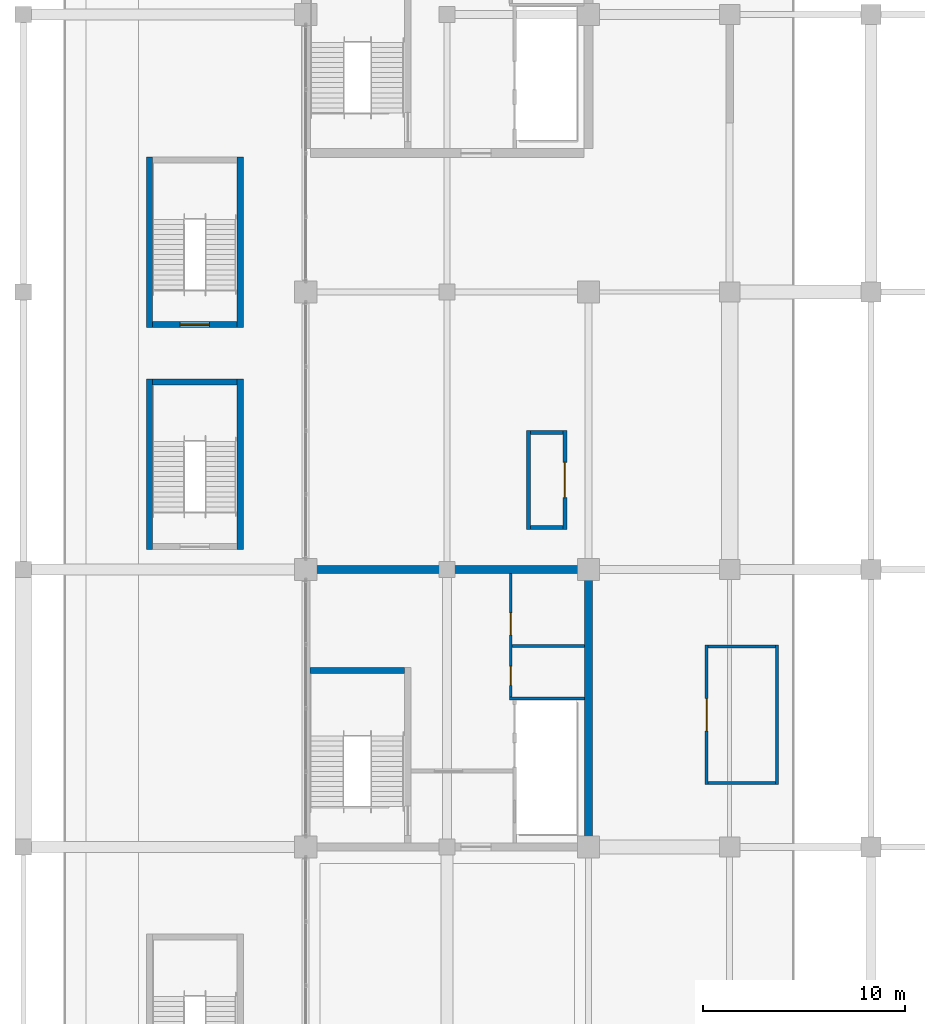
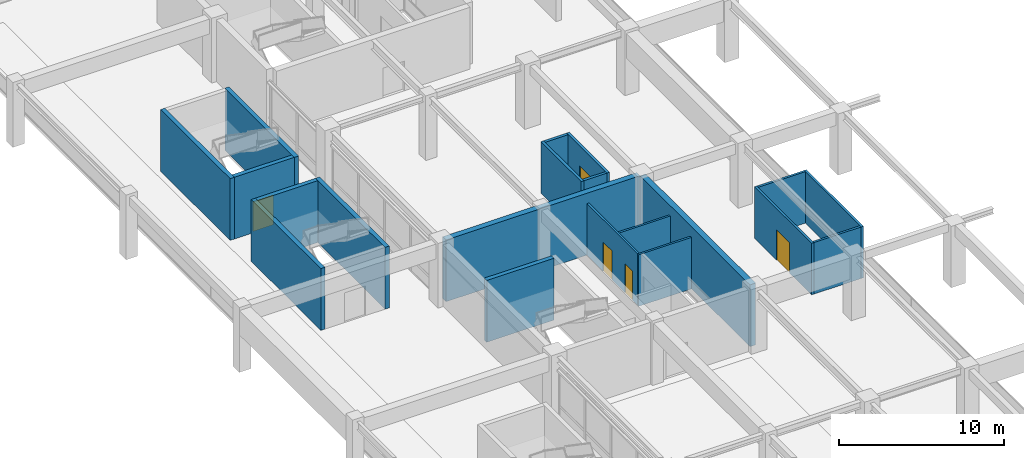
# One storey, part 67 of 91: 20 walls, 5 doors, 5 openings.
"""IFC4 building model written with IfcOpenShell, lengths in metres."""

from ifc_helpers import new_model, si_unit, direction, frame, frame_2d, origin, place, context, subcontext, project, spatial, rectangle, extrude, material, layer, layer_set, type_object, element, fill, save


model = new_model("IFC4")

# Units and contexts
model_context = context("Model", 3, precision=1e-05, world=origin(), true_north=direction((0.0, 1.0)))
body_context = subcontext(model_context, "Body", "Model", "MODEL_VIEW")
ifc_project = project(units=[si_unit("LENGTHUNIT", "METRE"), si_unit("AREAUNIT", "SQUARE_METRE"), si_unit("VOLUMEUNIT", "CUBIC_METRE"), si_unit("PLANEANGLEUNIT", "RADIAN"), si_unit("MASSUNIT", "GRAM", prefix="KILO")], contexts=[model_context])

# Site, building, storey
site_placement = place(None, origin())
site = spatial("IfcSite", under=ifc_project, at=site_placement, CompositionType="ELEMENT")
building_placement = place(site_placement, origin())
building = spatial("IfcBuilding", under=site, at=building_placement, Name="Linyun Crest Stadium", CompositionType="ELEMENT")
storey_placement = place(building_placement, frame((0.0, 0.0, 11.39990234375)))
storey = spatial("IfcBuildingStorey", under=building, at=storey_placement, Name="L03", CompositionType="ELEMENT", Elevation=11.39990234375)

# Walls
ifc_material_1 = material(Name="Concrete C50", Category="concrete")
ifc_layer_1 = layer(ifc_material_1, 0.39990234375)
ifc_layer_set_1 = layer_set([ifc_layer_1], Name="Concrete C50")
wall_type_1 = type_object("IfcWallType", Name="CW02", PredefinedType="SHEAR", material=ifc_layer_set_1)
wall_1_placement = place(storey_placement, frame((-70.0, 2.324951171875, 0.0), z_axis=(0.0, 0.0, 1.0), x_axis=(0.0, 1.0, 0.0)))
element("IfcWall", 1, at=wall_1_placement, inside=storey, type_object=wall_type_1, Name="Core shear wall CW02 CORE-W2 L03.2", PredefinedType="SHEAR", context=body_context, shape_type="SweptSolid", body=[
    extrude(rectangle(XDim=13.35009765625, YDim=0.39990234375, at=frame_2d((6.675048828125, 0.0))), origin(), (0.0, 0.0, 1.0), 4.580078125),
])
wall_2_placement = place(storey_placement, frame((-83.800048828125, 15.875, 0.0), z_axis=(0.0, 0.0, 1.0), x_axis=(1.0, 0.0, 0.0)))
element("IfcWall", 2, at=wall_2_placement, inside=storey, type_object=wall_type_1, Name="Core shear wall CW02 CORE-W2 L03.4", PredefinedType="SHEAR", context=body_context, shape_type="SweptSolid", body=[
    extrude(rectangle(XDim=13.60009765625, YDim=0.39990234375, at=frame_2d((6.800048828125, 0.0))), origin(), (0.0, 0.0, 1.0), 4.580078125),
])

# Wall, openings, doors
ifc_material_2 = material(Name="Moisture-resistant ceramic-tiled wet-room wall")
ifc_layer_2 = layer(ifc_material_2, 0.139892578125)
ifc_layer_set_2 = layer_set([ifc_layer_2], Name="Moisture-resistant ceramic-tiled wet-room wall")
wall_type_2 = type_object("IfcWallType", Name="PW15", PredefinedType="PARTITIONING", material=ifc_layer_set_2)
wall_3_placement = place(storey_placement, frame((-73.85009765625, 9.544921875, 0.0), z_axis=(0.0, 0.0, 1.0), x_axis=(0.0, 1.0, 0.0)))
wall_3 = element("IfcWall", 3, at=wall_3_placement, inside=storey, type_object=wall_type_2, Name="Partition PW15 L03 33", PredefinedType="PARTITIONING", context=body_context, shape_type="SweptSolid", body=[
    extrude(rectangle(XDim=6.130126953125, YDim=0.139892578125, at=frame_2d((3.06494140625, 0.0))), origin(), (0.0, 0.0, 1.0), 3.820068359375),
])
opening_1_placement = place(wall_3_placement, frame((0.580078125, 0.0, 0.0)))
opening_1 = element("IfcOpeningElement", 4, at=opening_1_placement, cuts=wall_3, Name="Opening D-L03-080", PredefinedType="OPENING", context=body_context, shape_type="SweptSolid", body=[
    extrude(rectangle(XDim=0.949951171875, YDim=2.14990234375, at=frame_2d((0.47509765625, 1.074951171875))), frame((0.0, 0.079833984375, 0.0), z_axis=(0.0, -1.0, 0.0), x_axis=(1.0, 0.0, 0.0)), (0.0, 0.0, 1.0), 0.159912109375),
])
opening_2_placement = place(wall_3_placement, frame((3.080078125, 0.0, 0.0)))
opening_2 = element("IfcOpeningElement", 5, at=opening_2_placement, cuts=wall_3, Name="Opening D-L03-081", PredefinedType="OPENING", context=body_context, shape_type="SweptSolid", body=[
    extrude(rectangle(XDim=1.10009765625, YDim=2.14990234375, at=frame_2d((0.550048828125, 1.074951171875))), frame((0.0, 0.079833984375, 0.0), z_axis=(0.0, -1.0, 0.0), x_axis=(1.0, 0.0, 0.0)), (0.0, 0.0, 1.0), 0.159912109375),
])
ifc_material_3 = material(Name="Moisture-resistant laminate leaf")
ifc_layer_3 = layer(ifc_material_3, 0.044921875)
ifc_layer_set_3 = layer_set([ifc_layer_3], Name="Moisture-resistant laminate leaf")
door_type_1 = type_object("IfcDoorType", Name="ID02", OperationType="NOTDEFINED", PredefinedType="DOOR", material=ifc_layer_set_3)
door_1_placement = place(opening_1_placement, origin())
door_1 = element("IfcDoor", 6, at=door_1_placement, inside=storey, type_object=door_type_1, Name="Door D-L03-080", OperationType="SINGLE_SWING_RIGHT", OverallHeight=2.14990234375, OverallWidth=0.949951171875, PredefinedType="DOOR", context=body_context, shape_type="SweptSolid", body=[
    extrude(rectangle(XDim=0.949951171875, YDim=2.14990234375, at=frame_2d((0.47509765625, 1.074951171875))), frame((0.0, 0.02490234375, 0.0), z_axis=(0.0, -1.0, 0.0), x_axis=(1.0, 0.0, 0.0)), (0.0, 0.0, 1.0), 0.050048828125),
])
fill(opening_1, door_1)
ifc_material_4 = material(Name="Moisture-resistant laminate leaf")
ifc_layer_4 = layer(ifc_material_4, 0.044921875)
ifc_layer_set_4 = layer_set([ifc_layer_4], Name="Moisture-resistant laminate leaf")
door_type_2 = type_object("IfcDoorType", Name="ID03", OperationType="NOTDEFINED", PredefinedType="DOOR", material=ifc_layer_set_4)
door_2_placement = place(opening_2_placement, origin())
door_2 = element("IfcDoor", 7, at=door_2_placement, inside=storey, type_object=door_type_2, Name="Door D-L03-081", OperationType="SINGLE_SWING_LEFT", OverallHeight=2.14990234375, OverallWidth=1.10009765625, PredefinedType="DOOR", context=body_context, shape_type="SweptSolid", body=[
    extrude(rectangle(XDim=1.10009765625, YDim=2.14990234375, at=frame_2d((0.550048828125, 1.074951171875))), frame((0.0, 0.02490234375, 0.0), z_axis=(0.0, -1.0, 0.0), x_axis=(1.0, 0.0, 0.0)), (0.0, 0.0, 1.0), 0.050048828125),
])
fill(opening_2, door_2)

# Walls
wall_4_placement = place(storey_placement, frame((-73.919921875, 9.47509765625, 0.0), z_axis=(0.0, 0.0, 1.0), x_axis=(1.0, 0.0, 0.0)))
element("IfcWall", 8, at=wall_4_placement, inside=storey, type_object=wall_type_2, Name="Enclosure partition PW15 L03 21", PredefinedType="PARTITIONING", context=body_context, shape_type="SweptSolid", body=[
    extrude(rectangle(XDim=3.719970703125, YDim=0.139892578125, at=frame_2d((1.85986328125, 0.0))), origin(), (0.0, 0.0, 1.0), 3.820068359375),
])
wall_5_placement = place(storey_placement, frame((-73.780029296875, 12.074951171875, 0.0), z_axis=(0.0, 0.0, 1.0), x_axis=(1.0, 0.0, 0.0)))
element("IfcWall", 9, at=wall_5_placement, inside=storey, type_object=wall_type_2, Name="Enclosure partition PW15 L03 22", PredefinedType="PARTITIONING", context=body_context, shape_type="SweptSolid", body=[
    extrude(rectangle(XDim=3.580078125, YDim=0.139892578125, at=frame_2d((1.7900390625, 0.0))), origin(), (0.0, 0.0, 1.0), 3.820068359375),
])

# Wall, opening, door
ifc_material_5 = material(Name="Medical and doping-control hygienic partition")
ifc_layer_5 = layer(ifc_material_5, 0.155029296875)
ifc_layer_set_5 = layer_set([ifc_layer_5], Name="Medical and doping-control hygienic partition")
wall_type_3 = type_object("IfcWallType", Name="PW23", PredefinedType="PARTITIONING", material=ifc_layer_set_5)
wall_6_placement = place(storey_placement, frame((-64.14208984375, 5.2080078125, 0.0), z_axis=(0.0, 0.0, 1.0), x_axis=(0.0, 1.0, 0.0)))
wall_6 = element("IfcWall", 10, at=wall_6_placement, inside=storey, type_object=wall_type_3, Name="Partition PW23 L03 203", PredefinedType="PARTITIONING", context=body_context, shape_type="SweptSolid", body=[
    extrude(rectangle(XDim=6.919921875, YDim=0.155029296875, at=frame_2d((3.4599609375, 0.0))), origin(), (0.0, 0.0, 1.0), 3.820068359375),
])
opening_3_placement = place(wall_6_placement, frame((2.659912109375, 0.0, 0.0)))
opening_3 = element("IfcOpeningElement", 11, at=opening_3_placement, cuts=wall_6, Name="Opening D-L03-466", PredefinedType="OPENING", context=body_context, shape_type="SweptSolid", body=[
    extrude(rectangle(XDim=1.60009765625, YDim=2.25, at=frame_2d((0.800048828125, 1.125))), frame((0.0, 0.08740234375, 0.0), z_axis=(0.0, -1.0, 0.0), x_axis=(1.0, 0.0, 0.0)), (0.0, 0.0, 1.0), 0.175048828125),
])
ifc_material_6 = material(Name="Stainless-clad fire door")
ifc_layer_6 = layer(ifc_material_6, 0.054931640625)
ifc_layer_set_6 = layer_set([ifc_layer_6], Name="Stainless-clad fire door")
door_type_3 = type_object("IfcDoorType", Name="FD05", OperationType="NOTDEFINED", PredefinedType="DOOR", material=ifc_layer_set_6)
door_3_placement = place(opening_3_placement, origin())
door_3 = element("IfcDoor", 12, at=door_3_placement, inside=storey, type_object=door_type_3, Name="Door D-L03-466", OperationType="SINGLE_SWING_RIGHT", OverallHeight=2.25, OverallWidth=1.60009765625, PredefinedType="DOOR", context=body_context, shape_type="SweptSolid", body=[
    extrude(rectangle(XDim=1.60009765625, YDim=2.25, at=frame_2d((0.800048828125, 1.125))), frame((0.0, 0.02490234375, 0.0), z_axis=(0.0, -1.0, 0.0), x_axis=(1.0, 0.0, 0.0)), (0.0, 0.0, 1.0), 0.050048828125),
])
fill(opening_3, door_3)

# Walls
wall_7_placement = place(storey_placement, frame((-60.662109375, 5.2080078125, 0.0), z_axis=(0.0, 0.0, 1.0), x_axis=(0.0, 1.0, 0.0)))
element("IfcWall", 13, at=wall_7_placement, inside=storey, type_object=wall_type_3, Name="Enclosure partition PW23 L03 325", PredefinedType="PARTITIONING", context=body_context, shape_type="SweptSolid", body=[
    extrude(rectangle(XDim=6.919921875, YDim=0.155029296875, at=frame_2d((3.4599609375, 0.0))), origin(), (0.0, 0.0, 1.0), 3.820068359375),
])
for number, where, z_axis, x_axis, name in (
    (14, (-64.06396484375, 5.285888671875, 0.0), (0.0, 0.0, 1.0), (1.0, 0.0, 0.0), "Enclosure partition PW23 L03 326"),
    (15, (-64.06396484375, 12.050048828125, 0.0), (0.0, 0.0, 1.0), (1.0, 0.0, 0.0), "Enclosure partition PW23 L03 327"),
):
    element("IfcWall", number, at=place(storey_placement, frame(where, z_axis=z_axis, x_axis=x_axis)), inside=storey, type_object=wall_type_3, Name=name, PredefinedType="PARTITIONING", context=body_context, shape_type="SweptSolid", body=[
        extrude(rectangle(XDim=3.323974609375, YDim=0.155029296875, at=frame_2d((1.662109375, 0.0))), origin(), (0.0, 0.0, 1.0), 3.820068359375),
    ])

# Wall, opening, door
ifc_material_7 = material(Name="Ticketing hall security partition")
ifc_layer_7 = layer(ifc_material_7, 0.18994140625)
ifc_layer_set_7 = layer_set([ifc_layer_7], Name="Ticketing hall security partition")
wall_type_4 = type_object("IfcWallType", Name="PW25", PredefinedType="PARTITIONING", material=ifc_layer_set_7)
wall_8_placement = place(storey_placement, frame((-71.1669921875, 22.75, 0.0), z_axis=(0.0, 0.0, 1.0), x_axis=(0.0, -1.0, 0.0)))
wall_8 = element("IfcWall", 16, at=wall_8_placement, inside=storey, type_object=wall_type_4, Name="Partition PW25 L03 205", PredefinedType="PARTITIONING", context=body_context, shape_type="SweptSolid", body=[
    extrude(rectangle(XDim=4.889892578125, YDim=0.18994140625, at=frame_2d((2.44482421875, 0.0))), origin(), (0.0, 0.0, 1.0), 3.820068359375),
])
opening_4_placement = place(wall_8_placement, frame((1.570068359375, 0.0, 0.0)))
opening_4 = element("IfcOpeningElement", 17, at=opening_4_placement, cuts=wall_8, Name="Opening D-L03-468", PredefinedType="OPENING", context=body_context, shape_type="SweptSolid", body=[
    extrude(rectangle(XDim=1.75, YDim=2.35009765625, at=frame_2d((0.875, 1.175048828125))), frame((0.0, 0.10498046875, 0.0), z_axis=(0.0, -1.0, 0.0), x_axis=(1.0, 0.0, 0.0)), (0.0, 0.0, 1.0), 0.2099609375),
])
ifc_material_8 = material(Name="Art Nouveau brass-inlaid double door")
ifc_layer_8 = layer(ifc_material_8, 0.054931640625)
ifc_layer_set_8 = layer_set([ifc_layer_8], Name="Art Nouveau brass-inlaid double door")
door_type_4 = type_object("IfcDoorType", Name="ID13", OperationType="NOTDEFINED", PredefinedType="DOOR", material=ifc_layer_set_8)
door_4_placement = place(opening_4_placement, origin())
door_4 = element("IfcDoor", 18, at=door_4_placement, inside=storey, type_object=door_type_4, Name="Door D-L03-468", OperationType="DOUBLE_DOOR_SINGLE_SWING", OverallHeight=2.35009765625, OverallWidth=1.75, PredefinedType="DOOR", context=body_context, shape_type="SweptSolid", body=[
    extrude(rectangle(XDim=1.75, YDim=2.35009765625, at=frame_2d((0.875, 1.175048828125))), frame((0.0, 0.02490234375, 0.0), z_axis=(0.0, -1.0, 0.0), x_axis=(1.0, 0.0, 0.0)), (0.0, 0.0, 1.0), 0.050048828125),
])
fill(opening_4, door_4)

# Walls
wall_9_placement = place(storey_placement, frame((-72.967041015625, 17.860107421875, 0.0), z_axis=(0.0, 0.0, 1.0), x_axis=(0.0, 1.0, 0.0)))
element("IfcWall", 19, at=wall_9_placement, inside=storey, type_object=wall_type_4, Name="Enclosure partition PW25 L03 331", PredefinedType="PARTITIONING", context=body_context, shape_type="SweptSolid", body=[
    extrude(rectangle(XDim=4.889892578125, YDim=0.18994140625, at=frame_2d((2.44482421875, 0.0))), origin(), (0.0, 0.0, 1.0), 3.820068359375),
])
for number, where, z_axis, x_axis, name in (
    (20, (-72.8720703125, 17.955078125, 0.0), (0.0, 0.0, 1.0), (1.0, 0.0, 0.0), "Enclosure partition PW25 L03 332"),
    (21, (-72.8720703125, 22.655029296875, 0.0), (0.0, 0.0, 1.0), (1.0, 0.0, 0.0), "Enclosure partition PW25 L03 333"),
):
    element("IfcWall", number, at=place(storey_placement, frame(where, z_axis=z_axis, x_axis=x_axis)), inside=storey, type_object=wall_type_4, Name=name, PredefinedType="PARTITIONING", context=body_context, shape_type="SweptSolid", body=[
        extrude(rectangle(XDim=1.610107421875, YDim=0.18994140625, at=frame_2d((0.80517578125, 0.0))), origin(), (0.0, 0.0, 1.0), 3.820068359375),
    ])
ifc_material_9 = material(Name="Concrete C50", Category="concrete")
ifc_layer_9 = layer(ifc_material_9, 0.300048828125)
ifc_layer_set_9 = layer_set([ifc_layer_9], Name="Concrete C50")
wall_type_5 = type_object("IfcWallType", Name="SW01", PredefinedType="SHEAR", material=ifc_layer_set_9)
wall_10_placement = place(storey_placement, frame((-83.800048828125, 10.875, 0.0), z_axis=(0.0, 0.0, 1.0), x_axis=(1.0, 0.0, 0.0)))
element("IfcWall", 22, at=wall_10_placement, inside=storey, type_object=wall_type_5, Name="Core stair bearing wall SW01 2 L03", PredefinedType="SHEAR", context=body_context, shape_type="SweptSolid", body=[
    extrude(rectangle(XDim=4.699951171875, YDim=0.300048828125, at=frame_2d((2.35009765625, 0.0))), origin(), (0.0, 0.0, 1.0), 4.580078125),
])
wall_11_placement = place(storey_placement, frame((-91.60009765625, 25.14990234375, 0.0), z_axis=(0.0, 0.0, 1.0), x_axis=(1.0, 0.0, 0.0)))
element("IfcWall", 23, at=wall_11_placement, inside=storey, type_object=wall_type_5, Name="Stair shaft wall SW01 STR-16 L03 N", PredefinedType="SHEAR", context=body_context, shape_type="SweptSolid", body=[
    extrude(rectangle(XDim=4.2001953125, YDim=0.300048828125, at=frame_2d((2.10009765625, 0.0))), origin(), (0.0, 0.0, 1.0), 4.580078125),
])
for number, where, z_axis, x_axis, name in (
    (24, (-91.75, 16.85009765625, 0.0), (0.0, 0.0, 1.0), (0.0, 1.0, 0.0), "Stair shaft wall SW01 STR-16 L03 W"),
    (25, (-87.25, 16.85009765625, 0.0), (0.0, 0.0, 1.0), (0.0, 1.0, 0.0), "Stair shaft wall SW01 STR-16 L03 E"),
):
    element("IfcWall", number, at=place(storey_placement, frame(where, z_axis=z_axis, x_axis=x_axis)), inside=storey, type_object=wall_type_5, Name=name, PredefinedType="SHEAR", context=body_context, shape_type="SweptSolid", body=[
        extrude(rectangle(XDim=8.449951171875, YDim=0.300048828125, at=frame_2d((4.22509765625, 0.0))), origin(), (0.0, 0.0, 1.0), 4.580078125),
    ])

# Wall, opening, door
wall_12_placement = place(storey_placement, frame((-91.60009765625, 28.0, 0.0), z_axis=(0.0, 0.0, 1.0), x_axis=(1.0, 0.0, 0.0)))
wall_12 = element("IfcWall", 26, at=wall_12_placement, inside=storey, type_object=wall_type_5, Name="Stair shaft wall SW01 STR-17 L03 S", PredefinedType="SHEAR", context=body_context, shape_type="SweptSolid", body=[
    extrude(rectangle(XDim=4.2001953125, YDim=0.300048828125, at=frame_2d((2.10009765625, 0.0))), origin(), (0.0, 0.0, 1.0), 4.580078125),
])
opening_5_placement = place(wall_12_placement, frame((1.375, 0.0, 0.0)))
opening_5 = element("IfcOpeningElement", 27, at=opening_5_placement, cuts=wall_12, Name="Opening D-L03-564", PredefinedType="OPENING", context=body_context, shape_type="SweptSolid", body=[
    extrude(rectangle(XDim=1.449951171875, YDim=2.199951171875, at=frame_2d((0.72509765625, 1.10009765625))), frame((0.0, 0.159912109375, 0.0), z_axis=(0.0, -1.0, 0.0), x_axis=(1.0, 0.0, 0.0)), (0.0, 0.0, 1.0), 0.320068359375),
])
ifc_material_10 = material(Name="Galvanized steel Class A fire door", Category="steel")
ifc_layer_10 = layer(ifc_material_10, 0.054931640625)
ifc_layer_set_10 = layer_set([ifc_layer_10], Name="Galvanized steel Class A fire door")
door_type_5 = type_object("IfcDoorType", Name="FD02", OperationType="NOTDEFINED", PredefinedType="DOOR", material=ifc_layer_set_10)
door_5_placement = place(opening_5_placement, origin())
door_5 = element("IfcDoor", 28, at=door_5_placement, inside=storey, type_object=door_type_5, Name="Door D-L03-564", OperationType="SINGLE_SWING_RIGHT", OverallHeight=2.199951171875, OverallWidth=1.449951171875, PredefinedType="DOOR", context=body_context, shape_type="SweptSolid", body=[
    extrude(rectangle(XDim=1.449951171875, YDim=2.199951171875, at=frame_2d((0.72509765625, 1.10009765625))), frame((0.0, 0.02490234375, 0.0), z_axis=(0.0, -1.0, 0.0), x_axis=(1.0, 0.0, 0.0)), (0.0, 0.0, 1.0), 0.050048828125),
])
fill(opening_5, door_5)

# Walls
for number, where, z_axis, x_axis, name in (
    (29, (-91.75, 27.85009765625, 0.0), (0.0, 0.0, 1.0), (0.0, 1.0, 0.0), "Stair shaft wall SW01 STR-17 L03 W"),
    (30, (-87.25, 27.85009765625, 0.0), (0.0, 0.0, 1.0), (0.0, 1.0, 0.0), "Stair shaft wall SW01 STR-17 L03 E"),
):
    element("IfcWall", number, at=place(storey_placement, frame(where, z_axis=z_axis, x_axis=x_axis)), inside=storey, type_object=wall_type_5, Name=name, PredefinedType="SHEAR", context=body_context, shape_type="SweptSolid", body=[
        extrude(rectangle(XDim=8.449951171875, YDim=0.300048828125, at=frame_2d((4.22509765625, 0.0))), origin(), (0.0, 0.0, 1.0), 4.580078125),
    ])

save(model, "model.ifc")
